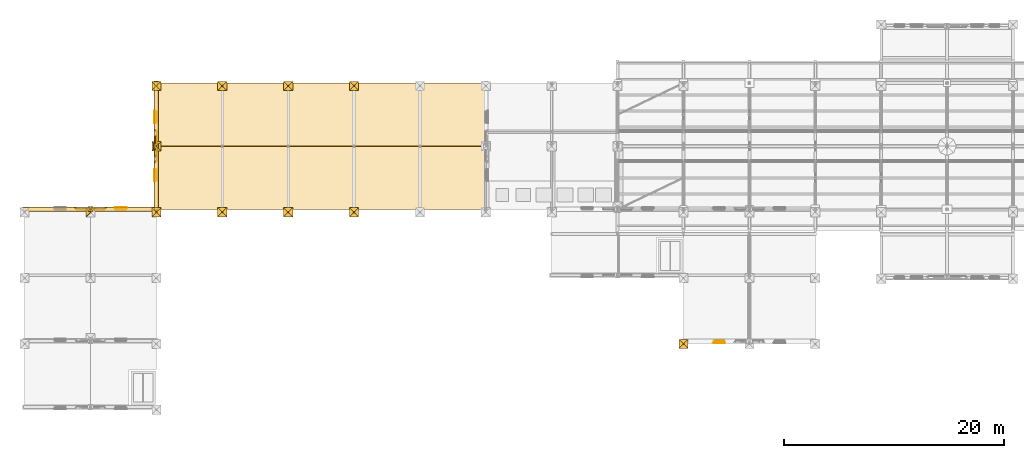
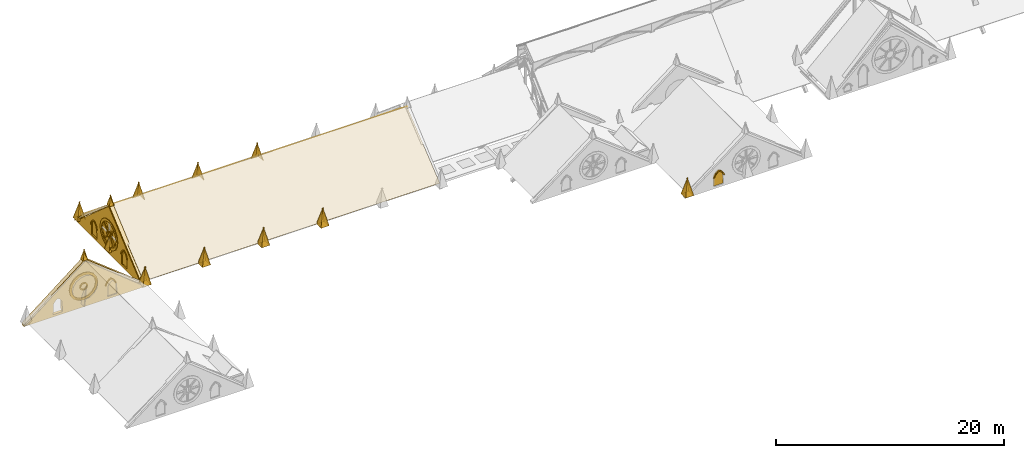
# One storey, part 25 of 33: 73 coverings.
"""IFC4 building model written with IfcOpenShell, lengths in metres."""

from ifc_helpers import new_model, si_unit, direction, frame, origin, place, context, subcontext, project, spatial, polyline, outline, extrude, material, type_object, element, save


model = new_model("IFC4")

# Units and contexts
model_context = context("Model", 3, precision=1e-05, world=origin(), true_north=direction((0.0, 1.0)))
body_context = subcontext(model_context, "Body", "Model", "MODEL_VIEW")
ifc_project = project(units=[si_unit("LENGTHUNIT", "METRE"), si_unit("AREAUNIT", "SQUARE_METRE"), si_unit("VOLUMEUNIT", "CUBIC_METRE"), si_unit("PLANEANGLEUNIT", "RADIAN"), si_unit("MASSUNIT", "GRAM", prefix="KILO")], contexts=[model_context])

# Site, building, storey
site_placement = place(None, origin())
site = spatial("IfcSite", under=ifc_project, at=site_placement, CompositionType="ELEMENT")
building_placement = place(site_placement, origin())
building = spatial("IfcBuilding", under=site, at=building_placement, Name="Cumevento Cable Car Station", CompositionType="ELEMENT")
storey_placement = place(building_placement, frame((0.0, 0.0, 22.5)))
storey = spatial("IfcBuildingStorey", under=building, at=storey_placement, Name="RF", CompositionType="ELEMENT", Elevation=22.5)

# Coverings
ifc_material_1 = material(Name="Standing-Seam Zinc-Titanium Roof Sheet", Category="steel")
covering_type_1 = type_object("IfcCoveringType", Name="Standing-Seam Zinc Roofing CV-RF01", PredefinedType="ROOFING", material=ifc_material_1)
for number, where, z_axis, x_axis, name in (
    (1, (22.0, 45.0, 0.45166015625), (0.0, -0.632857526617, 0.774268268111), (1.0, 0.0, 0.0), "Standing-Seam Zinc Roof Covering #39"),
    (2, (22.0, 50.760009765625, 5.143310546875), (0.0, 0.632857526617, 0.774268268111), (1.0, 0.0, 0.0), "Standing-Seam Zinc Roof Covering #40"),
):
    element("IfcCovering", number, at=place(storey_placement, frame(where, z_axis=z_axis, x_axis=x_axis)), inside=storey, type_object=covering_type_1, Name=name, PredefinedType="ROOFING", context=body_context, shape_type="SweptSolid", body=[
        extrude(outline(polyline([(0.0, 0.0), (30.0, 0.0), (30.0, 7.413438559708448), (0.0, 7.413438559708448), (0.0, 0.0)])), origin(), (0.0, 0.0, -1.0), 0.02587890625),
    ])
ifc_material_2 = material(Name="Gnaisse Facoidal Stone Ashlar 85 MPa", Category="masonry")
covering_type_2 = type_object("IfcCoveringType", Name="Gnaisse Ashlar Cladding CV-CL01", PredefinedType="CLADDING", material=ifc_material_2)
for number, where, z_axis, x_axis, name in (
    (3, (15.580078125, 44.320068359375, 0.3701171875), (-0.973845107191, 0.0, 0.227212911607), (0.0, 1.0, 0.0), "Gothic Buttress Pinnacle Spire Facet 4 bt:16.0:45.0"),
    (4, (21.580078125, 45.159912109375, 0.3701171875), (0.0, 0.973845107191, 0.227212911607), (1.0, 0.0, 0.0), "Gothic Buttress Pinnacle Spire Facet 1 bt:22.0:45.0"),
    (5, (22.419921875, 45.159912109375, 0.3701171875), (0.973845107191, 0.0, 0.227212911607), (0.0, -1.0, 0.0), "Gothic Buttress Pinnacle Spire Facet 2 bt:22.0:45.0"),
    (6, (22.419921875, 44.320068359375, 0.3701171875), (0.0, -0.973845107191, 0.227212911607), (-1.0, 0.0, 0.0), "Gothic Buttress Pinnacle Spire Facet 3 bt:22.0:45.0"),
    (7, (21.580078125, 44.320068359375, 0.3701171875), (-0.973845107191, 0.0, 0.227212911607), (0.0, 1.0, 0.0), "Gothic Buttress Pinnacle Spire Facet 4 bt:22.0:45.0"),
    (8, (21.580078125, 51.159912109375, 0.3701171875), (0.0, 0.973845107191, 0.227212911607), (1.0, 0.0, 0.0), "Gothic Buttress Pinnacle Spire Facet 1 bt:22.0:51.0"),
    (9, (22.419921875, 51.159912109375, 0.3701171875), (0.973845107191, 0.0, 0.227212911607), (0.0, -1.0, 0.0), "Gothic Buttress Pinnacle Spire Facet 2 bt:22.0:51.0"),
    (10, (22.419921875, 50.320068359375, 0.3701171875), (0.0, -0.973845107191, 0.227212911607), (-1.0, 0.0, 0.0), "Gothic Buttress Pinnacle Spire Facet 3 bt:22.0:51.0"),
    (11, (21.580078125, 50.320068359375, 0.3701171875), (-0.973845107191, 0.0, 0.227212911607), (0.0, 1.0, 0.0), "Gothic Buttress Pinnacle Spire Facet 4 bt:22.0:51.0"),
    (12, (21.580078125, 56.659912109375, 0.3701171875), (0.0, 0.973845107191, 0.227212911607), (1.0, 0.0, 0.0), "Gothic Buttress Pinnacle Spire Facet 1 bt:22.0:56.5"),
    (13, (22.419921875, 56.659912109375, 0.3701171875), (0.973845107191, 0.0, 0.227212911607), (0.0, -1.0, 0.0), "Gothic Buttress Pinnacle Spire Facet 2 bt:22.0:56.5"),
    (14, (22.419921875, 55.820068359375, 0.3701171875), (0.0, -0.973845107191, 0.227212911607), (-1.0, 0.0, 0.0), "Gothic Buttress Pinnacle Spire Facet 3 bt:22.0:56.5"),
    (15, (21.580078125, 55.820068359375, 0.3701171875), (-0.973845107191, 0.0, 0.227212911607), (0.0, 1.0, 0.0), "Gothic Buttress Pinnacle Spire Facet 4 bt:22.0:56.5"),
    (16, (27.580078125, 45.159912109375, 0.3701171875), (0.0, 0.973845107191, 0.227212911607), (1.0, 0.0, 0.0), "Gothic Buttress Pinnacle Spire Facet 1 bt:28.0:45.0"),
    (17, (28.419921875, 45.159912109375, 0.3701171875), (0.973845107191, 0.0, 0.227212911607), (0.0, -1.0, 0.0), "Gothic Buttress Pinnacle Spire Facet 2 bt:28.0:45.0"),
    (18, (28.419921875, 44.320068359375, 0.3701171875), (0.0, -0.973845107191, 0.227212911607), (-1.0, 0.0, 0.0), "Gothic Buttress Pinnacle Spire Facet 3 bt:28.0:45.0"),
    (19, (27.580078125, 44.320068359375, 0.3701171875), (-0.973845107191, 0.0, 0.227212911607), (0.0, 1.0, 0.0), "Gothic Buttress Pinnacle Spire Facet 4 bt:28.0:45.0"),
    (20, (27.580078125, 56.659912109375, 0.3701171875), (0.0, 0.973845107191, 0.227212911607), (1.0, 0.0, 0.0), "Gothic Buttress Pinnacle Spire Facet 1 bt:28.0:56.5"),
    (21, (28.419921875, 56.659912109375, 0.3701171875), (0.973845107191, 0.0, 0.227212911607), (0.0, -1.0, 0.0), "Gothic Buttress Pinnacle Spire Facet 2 bt:28.0:56.5"),
    (22, (28.419921875, 55.820068359375, 0.3701171875), (0.0, -0.973845107191, 0.227212911607), (-1.0, 0.0, 0.0), "Gothic Buttress Pinnacle Spire Facet 3 bt:28.0:56.5"),
    (23, (27.580078125, 55.820068359375, 0.3701171875), (-0.973845107191, 0.0, 0.227212911607), (0.0, 1.0, 0.0), "Gothic Buttress Pinnacle Spire Facet 4 bt:28.0:56.5"),
    (24, (33.580078125, 45.159912109375, 0.3701171875), (0.0, 0.973845107191, 0.227212911607), (1.0, 0.0, 0.0), "Gothic Buttress Pinnacle Spire Facet 1 bt:34.0:45.0"),
    (25, (34.419921875, 45.159912109375, 0.3701171875), (0.973845107191, 0.0, 0.227212911607), (0.0, -1.0, 0.0), "Gothic Buttress Pinnacle Spire Facet 2 bt:34.0:45.0"),
    (26, (34.419921875, 44.320068359375, 0.3701171875), (0.0, -0.973845107191, 0.227212911607), (-1.0, 0.0, 0.0), "Gothic Buttress Pinnacle Spire Facet 3 bt:34.0:45.0"),
    (27, (33.580078125, 44.320068359375, 0.3701171875), (-0.973845107191, 0.0, 0.227212911607), (0.0, 1.0, 0.0), "Gothic Buttress Pinnacle Spire Facet 4 bt:34.0:45.0"),
    (28, (33.580078125, 56.659912109375, 0.3701171875), (0.0, 0.973845107191, 0.227212911607), (1.0, 0.0, 0.0), "Gothic Buttress Pinnacle Spire Facet 1 bt:34.0:56.5"),
    (29, (34.419921875, 56.659912109375, 0.3701171875), (0.973845107191, 0.0, 0.227212911607), (0.0, -1.0, 0.0), "Gothic Buttress Pinnacle Spire Facet 2 bt:34.0:56.5"),
    (30, (34.419921875, 55.820068359375, 0.3701171875), (0.0, -0.973845107191, 0.227212911607), (-1.0, 0.0, 0.0), "Gothic Buttress Pinnacle Spire Facet 3 bt:34.0:56.5"),
    (31, (33.580078125, 55.820068359375, 0.3701171875), (-0.973845107191, 0.0, 0.227212911607), (0.0, 1.0, 0.0), "Gothic Buttress Pinnacle Spire Facet 4 bt:34.0:56.5"),
    (32, (39.580078125, 45.159912109375, 0.3701171875), (0.0, 0.973845107191, 0.227212911607), (1.0, 0.0, 0.0), "Gothic Buttress Pinnacle Spire Facet 1 bt:40.0:45.0"),
    (33, (40.419921875, 45.159912109375, 0.3701171875), (0.973845107191, 0.0, 0.227212911607), (0.0, -1.0, 0.0), "Gothic Buttress Pinnacle Spire Facet 2 bt:40.0:45.0"),
    (34, (40.419921875, 44.320068359375, 0.3701171875), (0.0, -0.973845107191, 0.227212911607), (-1.0, 0.0, 0.0), "Gothic Buttress Pinnacle Spire Facet 3 bt:40.0:45.0"),
    (35, (39.580078125, 44.320068359375, 0.3701171875), (-0.973845107191, 0.0, 0.227212911607), (0.0, 1.0, 0.0), "Gothic Buttress Pinnacle Spire Facet 4 bt:40.0:45.0"),
    (36, (39.580078125, 56.659912109375, 0.3701171875), (0.0, 0.973845107191, 0.227212911607), (1.0, 0.0, 0.0), "Gothic Buttress Pinnacle Spire Facet 1 bt:40.0:56.5"),
    (37, (40.419921875, 56.659912109375, 0.3701171875), (0.973845107191, 0.0, 0.227212911607), (0.0, -1.0, 0.0), "Gothic Buttress Pinnacle Spire Facet 2 bt:40.0:56.5"),
    (38, (40.419921875, 55.820068359375, 0.3701171875), (0.0, -0.973845107191, 0.227212911607), (-1.0, 0.0, 0.0), "Gothic Buttress Pinnacle Spire Facet 3 bt:40.0:56.5"),
    (39, (39.580078125, 55.820068359375, 0.3701171875), (-0.973845107191, 0.0, 0.227212911607), (0.0, 1.0, 0.0), "Gothic Buttress Pinnacle Spire Facet 4 bt:40.0:56.5"),
    (40, (69.580078125, 33.159912109375, 0.3701171875), (0.0, 0.973845107191, 0.227212911607), (1.0, 0.0, 0.0), "Gothic Buttress Pinnacle Spire Facet 1 bt:70.0:33.0"),
    (41, (70.419921875, 33.159912109375, 0.3701171875), (0.973845107191, 0.0, 0.227212911607), (0.0, -1.0, 0.0), "Gothic Buttress Pinnacle Spire Facet 2 bt:70.0:33.0"),
    (42, (70.419921875, 32.320068359375, 0.3701171875), (0.0, -0.973845107191, 0.227212911607), (-1.0, 0.0, 0.0), "Gothic Buttress Pinnacle Spire Facet 3 bt:70.0:33.0"),
    (43, (69.580078125, 32.320068359375, 0.3701171875), (-0.973845107191, 0.0, 0.227212911607), (0.0, 1.0, 0.0), "Gothic Buttress Pinnacle Spire Facet 4 bt:70.0:33.0"),
):
    element("IfcCovering", number, at=place(storey_placement, frame(where, z_axis=z_axis, x_axis=x_axis)), inside=storey, type_object=covering_type_2, Name=name, PredefinedType="CLADDING", context=body_context, shape_type="SweptSolid", body=[
        extrude(outline(polyline([(0.0, 0.0), (0.83984375, 0.0), (0.419921875, -1.848142660686801), (0.0, 0.0)])), origin(), (0.0, 0.0, -1.0), 0.0849609375),
    ])
placement_1 = place(storey_placement, frame((82.0, 33.0, 0.0), z_axis=(0.0, 0.0, 1.0), x_axis=(-1.0, 0.0, 0.0)))
element("IfcCovering", 44, at=placement_1, inside=storey, type_object=covering_type_2, Name="Gothic Gable Recessed Tracery Backing wing_B_V2d_S lancet_1", PredefinedType="CLADDING", context=body_context, shape_type="SweptSolid", body=[
    extrude(outline(polyline([(8.2548828125, 0.14990234375), (9.264892578125, 0.14990234375), (9.205078125, 1.2724609375), (9.122314453125, 1.409912109375), (9.0185546875, 1.5322265625), (8.89697265625, 1.63671875), (8.760009765625, 1.720458984375), (8.623046875, 1.63671875), (8.50146484375, 1.5322265625), (8.397705078125, 1.409912109375), (8.31494140625, 1.2724609375), (8.2548828125, 0.14990234375)])), frame((0.0, 0.050048828125, 0.0), z_axis=(0.0, -1.0, 0.0), x_axis=(1.0, 0.0, 0.0)), (0.0, 0.0, 1.0), 0.074951171875),
])
element("IfcCovering", 45, at=placement_1, inside=storey, type_object=covering_type_2, Name="Gable Lancet Stone Hood Moulding wing_B_V2d_S #2", PredefinedType="CLADDING", context=body_context, shape_type="SweptSolid", body=[
    extrude(outline(polyline([(8.284912109375, 1.12255859375), (8.339599609375, 1.26611328125), (8.416748046875, 1.399169921875), (8.51416015625, 1.517822265625), (8.629638671875, 1.619140625), (8.760009765625, 1.700439453125), (8.890380859375, 1.619140625), (9.005859375, 1.517822265625), (9.103271484375, 1.399169921875), (9.180419921875, 1.26611328125), (9.235107421875, 1.12255859375), (9.324951171875, 1.12255859375), (9.26123046875, 1.295654296875), (9.170166015625, 1.4560546875), (9.053955078125, 1.599365234375), (8.916015625, 1.721923828125), (8.760009765625, 1.8203125), (8.60400390625, 1.721923828125), (8.466064453125, 1.599365234375), (8.349853515625, 1.4560546875), (8.2587890625, 1.295654296875), (8.195068359375, 1.12255859375), (8.284912109375, 1.12255859375)])), frame((0.0, 0.205078125, 0.0), z_axis=(0.0, -1.0, 0.0), x_axis=(1.0, 0.0, 0.0)), (0.0, 0.0, 1.0), 0.090087890625),
])
placement_2 = place(storey_placement, frame((10.0, 45.0, 0.0), z_axis=(0.0, 0.0, 1.0), x_axis=(1.0, 0.0, 0.0)))
element("IfcCovering", 46, at=placement_2, inside=storey, type_object=covering_type_2, Name="Gothic Stone Gable Tympanum wing_B_V6b_N", PredefinedType="CLADDING", context=body_context, shape_type="SweptSolid", body=[
    extrude(outline(polyline([(-0.080078125, -0.06005859375), (12.080078125, -0.06005859375), (6.0, 4.81005859375), (-0.080078125, -0.06005859375)]), holes=[polyline([(7.277099609375, 1.939208984375), (7.179931640625, 2.427978515625), (6.903076171875, 2.84228515625), (6.48876953125, 3.119140625), (6.0, 3.21630859375), (5.51123046875, 3.119140625), (5.096923828125, 2.84228515625), (4.820068359375, 2.427978515625), (4.722900390625, 1.939208984375), (4.820068359375, 1.45068359375), (5.096923828125, 1.0361328125), (5.51123046875, 0.759521484375), (6.0, 0.662109375), (6.48876953125, 0.759521484375), (6.903076171875, 1.0361328125), (7.179931640625, 1.45068359375), (7.277099609375, 1.939208984375)]), polyline([(2.764892578125, 0.179931640625), (3.715087890625, 0.179931640625), (3.662109375, 1.29736328125), (3.5859375, 1.43408203125), (3.48828125, 1.556396484375), (3.3720703125, 1.660888671875), (3.239990234375, 1.744873046875), (3.10791015625, 1.660888671875), (2.99169921875, 1.556396484375), (2.89404296875, 1.43408203125), (2.81787109375, 1.29736328125), (2.764892578125, 0.179931640625)]), polyline([(8.284912109375, 0.179931640625), (9.235107421875, 0.179931640625), (9.182373046875, 1.29736328125), (9.10595703125, 1.43408203125), (9.00830078125, 1.556396484375), (8.89208984375, 1.660888671875), (8.760009765625, 1.744873046875), (8.6279296875, 1.660888671875), (8.51171875, 1.556396484375), (8.4140625, 1.43408203125), (8.337646484375, 1.29736328125), (8.284912109375, 0.179931640625)])]), frame((0.0, 0.159912109375, 0.0), z_axis=(0.0, -1.0, 0.0), x_axis=(1.0, 0.0, 0.0)), (0.0, 0.0, 1.0), 0.300048828125),
])
element("IfcCovering", 47, at=placement_2, inside=storey, type_object=covering_type_2, Name="Gothic Gable Recessed Tracery Backing wing_B_V6b_N rose", PredefinedType="CLADDING", context=body_context, shape_type="SweptSolid", body=[
    extrude(outline(polyline([(7.317138671875, 1.939208984375), (7.216796875, 2.443359375), (6.931396484375, 2.87060546875), (6.504150390625, 3.15625), (6.0, 3.25634765625), (5.495849609375, 3.15625), (5.068603515625, 2.87060546875), (4.783203125, 2.443359375), (4.682861328125, 1.939208984375), (4.783203125, 1.435302734375), (5.068603515625, 1.008056640625), (5.495849609375, 0.722412109375), (6.0, 0.622314453125), (6.504150390625, 0.722412109375), (6.931396484375, 1.008056640625), (7.216796875, 1.435302734375), (7.317138671875, 1.939208984375)])), frame((0.0, 0.050048828125, 0.0), z_axis=(0.0, -1.0, 0.0), x_axis=(1.0, 0.0, 0.0)), (0.0, 0.0, 1.0), 0.074951171875),
])
element("IfcCovering", 48, at=placement_2, inside=storey, type_object=covering_type_2, Name="Gothic Gable Recessed Tracery Backing wing_B_V6b_N lancet_1", PredefinedType="CLADDING", context=body_context, shape_type="SweptSolid", body=[
    extrude(outline(polyline([(8.2548828125, 0.14990234375), (9.264892578125, 0.14990234375), (9.20703125, 1.3037109375), (9.125, 1.44482421875), (9.021240234375, 1.57080078125), (8.8984375, 1.678466796875), (8.760009765625, 1.764892578125), (8.62158203125, 1.678466796875), (8.498779296875, 1.57080078125), (8.39501953125, 1.44482421875), (8.31298828125, 1.3037109375), (8.2548828125, 0.14990234375)])), frame((0.0, 0.050048828125, 0.0), z_axis=(0.0, -1.0, 0.0), x_axis=(1.0, 0.0, 0.0)), (0.0, 0.0, 1.0), 0.074951171875),
])
element("IfcCovering", 49, at=placement_2, inside=storey, type_object=covering_type_2, Name="Gothic 16-Sided Stone Rose Window Ring wing_B_V6b_N", PredefinedType="CLADDING", context=body_context, shape_type="SweptSolid", body=[
    extrude(outline(polyline([(7.45703125, 1.939208984375), (7.34619140625, 2.496826171875), (7.0302734375, 2.9697265625), (6.5576171875, 3.285400390625), (6.0, 3.396484375), (5.4423828125, 3.285400390625), (4.9697265625, 2.9697265625), (4.65380859375, 2.496826171875), (4.54296875, 1.939208984375), (4.65380859375, 1.381591796875), (4.9697265625, 0.908935546875), (5.4423828125, 0.593017578125), (6.0, 0.482177734375), (6.5576171875, 0.593017578125), (7.0302734375, 0.908935546875), (7.34619140625, 1.381591796875), (7.45703125, 1.939208984375)]), holes=[polyline([(7.20703125, 1.939208984375), (7.115234375, 2.401123046875), (6.853515625, 2.79296875), (6.4619140625, 3.054443359375), (6.0, 3.146484375), (5.5380859375, 3.054443359375), (5.146484375, 2.79296875), (4.884765625, 2.401123046875), (4.79296875, 1.939208984375), (4.884765625, 1.477294921875), (5.146484375, 1.085693359375), (5.5380859375, 0.823974609375), (6.0, 0.732177734375), (6.4619140625, 0.823974609375), (6.853515625, 1.085693359375), (7.115234375, 1.477294921875), (7.20703125, 1.939208984375)])]), frame((0.0, 0.215087890625, 0.0), z_axis=(0.0, -1.0, 0.0), x_axis=(1.0, 0.0, 0.0)), (0.0, 0.0, 1.0), 0.110107421875),
])
element("IfcCovering", 50, at=placement_2, inside=storey, type_object=covering_type_2, Name="Gothic Rose Central Stone Oculus Hub wing_B_V6b_N", PredefinedType="CLADDING", context=body_context, shape_type="SweptSolid", body=[
    extrude(outline(polyline([(6.412109375, 1.939208984375), (6.356689453125, 2.145263671875), (6.2060546875, 2.296142578125), (6.0, 2.351318359375), (5.7939453125, 2.296142578125), (5.643310546875, 2.145263671875), (5.587890625, 1.939208984375), (5.643310546875, 1.7333984375), (5.7939453125, 1.58251953125), (6.0, 1.52734375), (6.2060546875, 1.58251953125), (6.356689453125, 1.7333984375), (6.412109375, 1.939208984375)]), holes=[polyline([(6.2919921875, 1.939208984375), (6.2529296875, 2.085205078125), (6.14599609375, 2.192138671875), (6.0, 2.231201171875), (5.85400390625, 2.192138671875), (5.7470703125, 2.085205078125), (5.7080078125, 1.939208984375), (5.7470703125, 1.793212890625), (5.85400390625, 1.6865234375), (6.0, 1.647216796875), (6.14599609375, 1.6865234375), (6.2529296875, 1.793212890625), (6.2919921875, 1.939208984375)])]), frame((0.0, 0.18994140625, 0.0), z_axis=(0.0, -1.0, 0.0), x_axis=(1.0, 0.0, 0.0)), (0.0, 0.0, 1.0), 0.139892578125),
])
element("IfcCovering", 51, at=placement_2, inside=storey, type_object=covering_type_2, Name="Gable Lancet Stone Hood Moulding wing_B_V6b_N #2", PredefinedType="CLADDING", context=body_context, shape_type="SweptSolid", body=[
    extrude(outline(polyline([(8.284912109375, 1.150146484375), (8.337646484375, 1.29736328125), (8.4140625, 1.43408203125), (8.51171875, 1.556396484375), (8.6279296875, 1.660888671875), (8.760009765625, 1.744873046875), (8.89208984375, 1.660888671875), (9.00830078125, 1.556396484375), (9.10595703125, 1.43408203125), (9.182373046875, 1.29736328125), (9.235107421875, 1.150146484375), (9.324951171875, 1.150146484375), (9.262939453125, 1.326904296875), (9.1728515625, 1.4912109375), (9.056640625, 1.637939453125), (8.917724609375, 1.763671875), (8.760009765625, 1.86474609375), (8.602294921875, 1.763671875), (8.46337890625, 1.637939453125), (8.34716796875, 1.4912109375), (8.257080078125, 1.326904296875), (8.195068359375, 1.150146484375), (8.284912109375, 1.150146484375)])), frame((0.0, 0.205078125, 0.0), z_axis=(0.0, -1.0, 0.0), x_axis=(1.0, 0.0, 0.0)), (0.0, 0.0, 1.0), 0.090087890625),
])
element("IfcCovering", 52, at=placement_2, inside=storey, type_object=covering_type_2, Name="Raking Gothic Stone Gable Coping wing_B_V6b_N", PredefinedType="CLADDING", context=body_context, shape_type="SweptSolid", body=[
    extrude(outline(polyline([(-0.199951171875, -0.06005859375), (6.0, 4.81005859375), (12.199951171875, -0.06005859375), (12.199951171875, 0.139892578125), (6.0, 5.050048828125), (-0.199951171875, 0.139892578125), (-0.199951171875, -0.06005859375)])), frame((0.0, 0.219970703125, 0.0), z_axis=(0.0, -1.0, 0.0), x_axis=(1.0, 0.0, 0.0)), (0.0, 0.0, 1.0), 0.39990234375),
])
for number, where, z_axis, x_axis, name in (
    (53, (15.760009765625, 44.7900390625, 4.909912109375), (0.0, -0.97486272659, 0.222806338116), (1.0, 0.0, 0.0), "Gothic Gable Finial Spire Facet 1 wing_B_V6b_N"),
    (54, (16.239990234375, 44.7900390625, 4.909912109375), (0.97486272659, 0.0, 0.222806338116), (0.0, 1.0, 0.0), "Gothic Gable Finial Spire Facet 2 wing_B_V6b_N"),
    (55, (16.239990234375, 45.27001953125, 4.909912109375), (0.0, 0.97486272659, 0.222806338116), (-1.0, 0.0, 0.0), "Gothic Gable Finial Spire Facet 3 wing_B_V6b_N"),
    (56, (15.760009765625, 45.27001953125, 4.909912109375), (-0.97486272659, 0.0, 0.222806338116), (0.0, -1.0, 0.0), "Gothic Gable Finial Spire Facet 4 wing_B_V6b_N"),
):
    element("IfcCovering", number, at=place(storey_placement, frame(where, z_axis=z_axis, x_axis=x_axis)), inside=storey, type_object=covering_type_2, Name=name, PredefinedType="CLADDING", context=body_context, shape_type="SweptSolid", body=[
        extrude(outline(polyline([(0.0, 0.0), (0.47998046875, 0.0), (0.239990234375, 1.0771248089437238), (0.0, 0.0)])), origin(), (0.0, 0.0, -1.0), 0.06494140625),
    ])
placement_3 = place(storey_placement, frame((22.0, 45.0, 0.0), z_axis=(0.0, 0.0, 1.0), x_axis=(0.0, 1.0, 0.0)))
element("IfcCovering", 57, at=placement_3, inside=storey, type_object=covering_type_2, Name="Gothic Stone Gable Tympanum wing_B_V6c_W", PredefinedType="CLADDING", context=body_context, shape_type="SweptSolid", body=[
    extrude(outline(polyline([(-0.080078125, -0.06005859375), (11.580078125, -0.06005859375), (5.75, 5.06005859375), (-0.080078125, -0.06005859375)]), holes=[polyline([(7.094482421875, 2.041748046875), (6.9921875, 2.556396484375), (6.70068359375, 2.99267578125), (6.2646484375, 3.283935546875), (5.75, 3.386474609375), (5.2353515625, 3.283935546875), (4.79931640625, 2.99267578125), (4.5078125, 2.556396484375), (4.405517578125, 2.041748046875), (4.5078125, 1.52734375), (4.79931640625, 1.091064453125), (5.2353515625, 0.799560546875), (5.75, 0.697265625), (6.2646484375, 0.799560546875), (6.70068359375, 1.091064453125), (6.9921875, 1.52734375), (7.094482421875, 2.041748046875)]), polyline([(2.6298828125, 0.179931640625), (3.580078125, 0.179931640625), (3.55810546875, 1.373779296875), (3.494384765625, 1.530029296875), (3.392578125, 1.66455078125), (3.260009765625, 1.768798828125), (3.10498046875, 1.83544921875), (2.949951171875, 1.768798828125), (2.8173828125, 1.66455078125), (2.715576171875, 1.530029296875), (2.65185546875, 1.373779296875), (2.6298828125, 0.179931640625)]), polyline([(7.919921875, 0.179931640625), (8.8701171875, 0.179931640625), (8.848388671875, 1.373779296875), (8.784423828125, 1.530029296875), (8.682861328125, 1.66455078125), (8.550048828125, 1.768798828125), (8.39501953125, 1.83544921875), (8.239990234375, 1.768798828125), (8.107177734375, 1.66455078125), (8.005615234375, 1.530029296875), (7.941650390625, 1.373779296875), (7.919921875, 0.179931640625)])]), frame((0.0, 0.159912109375, 0.0), z_axis=(0.0, -1.0, 0.0), x_axis=(1.0, 0.0, 0.0)), (0.0, 0.0, 1.0), 0.300048828125),
])
element("IfcCovering", 58, at=placement_3, inside=storey, type_object=covering_type_2, Name="Gothic Gable Recessed Tracery Backing wing_B_V6c_W rose", PredefinedType="CLADDING", context=body_context, shape_type="SweptSolid", body=[
    extrude(outline(polyline([(7.134521484375, 2.041748046875), (7.029296875, 2.57177734375), (6.72900390625, 3.020751953125), (6.27978515625, 3.321044921875), (5.75, 3.426513671875), (5.22021484375, 3.321044921875), (4.77099609375, 3.020751953125), (4.470703125, 2.57177734375), (4.365478515625, 2.041748046875), (4.470703125, 1.511962890625), (4.77099609375, 1.062744140625), (5.22021484375, 0.7626953125), (5.75, 0.6572265625), (6.27978515625, 0.7626953125), (6.72900390625, 1.062744140625), (7.029296875, 1.511962890625), (7.134521484375, 2.041748046875)])), frame((0.0, 0.050048828125, 0.0), z_axis=(0.0, -1.0, 0.0), x_axis=(1.0, 0.0, 0.0)), (0.0, 0.0, 1.0), 0.074951171875),
])
element("IfcCovering", 59, at=placement_3, inside=storey, type_object=covering_type_2, Name="Gothic Gable Recessed Tracery Backing wing_B_V6c_W lancet_0", PredefinedType="CLADDING", context=body_context, shape_type="SweptSolid", body=[
    extrude(outline(polyline([(2.60009765625, 0.14990234375), (3.610107421875, 0.14990234375), (3.586669921875, 1.38232421875), (3.518310546875, 1.545166015625), (3.409912109375, 1.684326171875), (3.268798828125, 1.790283203125), (3.10498046875, 1.85546875), (2.941162109375, 1.790283203125), (2.800048828125, 1.684326171875), (2.691650390625, 1.545166015625), (2.623291015625, 1.38232421875), (2.60009765625, 0.14990234375)])), frame((0.0, 0.050048828125, 0.0), z_axis=(0.0, -1.0, 0.0), x_axis=(1.0, 0.0, 0.0)), (0.0, 0.0, 1.0), 0.074951171875),
])
element("IfcCovering", 60, at=placement_3, inside=storey, type_object=covering_type_2, Name="Gothic Gable Recessed Tracery Backing wing_B_V6c_W lancet_1", PredefinedType="CLADDING", context=body_context, shape_type="SweptSolid", body=[
    extrude(outline(polyline([(7.889892578125, 0.14990234375), (8.89990234375, 0.14990234375), (8.876708984375, 1.38232421875), (8.80859375, 1.545166015625), (8.699951171875, 1.684326171875), (8.558837890625, 1.790283203125), (8.39501953125, 1.85546875), (8.231201171875, 1.790283203125), (8.090087890625, 1.684326171875), (7.9814453125, 1.545166015625), (7.913330078125, 1.38232421875), (7.889892578125, 0.14990234375)])), frame((0.0, 0.050048828125, 0.0), z_axis=(0.0, -1.0, 0.0), x_axis=(1.0, 0.0, 0.0)), (0.0, 0.0, 1.0), 0.074951171875),
])
element("IfcCovering", 61, at=placement_3, inside=storey, type_object=covering_type_2, Name="Gothic 16-Sided Stone Rose Window Ring wing_B_V6c_W", PredefinedType="CLADDING", context=body_context, shape_type="SweptSolid", body=[
    extrude(outline(polyline([(7.274658203125, 2.041748046875), (7.158447265625, 2.625244140625), (6.828125, 3.119873046875), (6.33349609375, 3.450439453125), (5.75, 3.56640625), (5.16650390625, 3.450439453125), (4.671875, 3.119873046875), (4.341552734375, 2.625244140625), (4.225341796875, 2.041748046875), (4.341552734375, 1.458251953125), (4.671875, 0.963623046875), (5.16650390625, 0.63330078125), (5.75, 0.51708984375), (6.33349609375, 0.63330078125), (6.828125, 0.963623046875), (7.158447265625, 1.458251953125), (7.274658203125, 2.041748046875)]), holes=[polyline([(7.024658203125, 2.041748046875), (6.927490234375, 2.529541015625), (6.6513671875, 2.943115234375), (6.23779296875, 3.219482421875), (5.75, 3.31640625), (5.26220703125, 3.219482421875), (4.8486328125, 2.943115234375), (4.572509765625, 2.529541015625), (4.475341796875, 2.041748046875), (4.572509765625, 1.553955078125), (4.8486328125, 1.140625), (5.26220703125, 0.8642578125), (5.75, 0.76708984375), (6.23779296875, 0.8642578125), (6.6513671875, 1.140625), (6.927490234375, 1.553955078125), (7.024658203125, 2.041748046875)])]), frame((0.0, 0.215087890625, 0.0), z_axis=(0.0, -1.0, 0.0), x_axis=(1.0, 0.0, 0.0)), (0.0, 0.0, 1.0), 0.110107421875),
])
element("IfcCovering", 62, at=placement_3, inside=storey, type_object=covering_type_2, Name="Gothic Rose Central Stone Oculus Hub wing_B_V6c_W", PredefinedType="CLADDING", context=body_context, shape_type="SweptSolid", body=[
    extrude(outline(polyline([(6.1796875, 2.041748046875), (6.1220703125, 2.256591796875), (5.96484375, 2.413818359375), (5.75, 2.471435546875), (5.53515625, 2.413818359375), (5.3779296875, 2.256591796875), (5.3203125, 2.041748046875), (5.3779296875, 1.826904296875), (5.53515625, 1.669677734375), (5.75, 1.6123046875), (5.96484375, 1.669677734375), (6.1220703125, 1.826904296875), (6.1796875, 2.041748046875)]), holes=[polyline([(6.0595703125, 2.041748046875), (6.01806640625, 2.196533203125), (5.90478515625, 2.309814453125), (5.75, 2.351318359375), (5.59521484375, 2.309814453125), (5.48193359375, 2.196533203125), (5.4404296875, 2.041748046875), (5.48193359375, 1.886962890625), (5.59521484375, 1.773681640625), (5.75, 1.732177734375), (5.90478515625, 1.773681640625), (6.01806640625, 1.886962890625), (6.0595703125, 2.041748046875)])]), frame((0.0, 0.18994140625, 0.0), z_axis=(0.0, -1.0, 0.0), x_axis=(1.0, 0.0, 0.0)), (0.0, 0.0, 1.0), 0.139892578125),
])
element("IfcCovering", 63, at=placement_3, inside=storey, type_object=covering_type_2, Name="Gothic Rose Stone Tracery Mullion wing_B_V6c_W #2", PredefinedType="CLADDING", context=body_context, shape_type="SweptSolid", body=[
    extrude(outline(polyline([(5.986572265625, 2.342041015625), (6.65478515625, 3.01025390625), (6.718505859375, 2.946533203125), (6.05029296875, 2.2783203125), (5.986572265625, 2.342041015625)])), frame((0.0, 0.18505859375, 0.0), z_axis=(0.0, -1.0, 0.0), x_axis=(1.0, 0.0, 0.0)), (0.0, 0.0, 1.0), 0.1298828125),
])
element("IfcCovering", 64, at=placement_3, inside=storey, type_object=covering_type_2, Name="Gothic Rose Stone Tracery Mullion wing_B_V6c_W #4", PredefinedType="CLADDING", context=body_context, shape_type="SweptSolid", body=[
    extrude(outline(polyline([(5.44970703125, 2.2783203125), (4.781494140625, 2.946533203125), (4.84521484375, 3.01025390625), (5.513427734375, 2.342041015625), (5.44970703125, 2.2783203125)])), frame((0.0, 0.18505859375, 0.0), z_axis=(0.0, -1.0, 0.0), x_axis=(1.0, 0.0, 0.0)), (0.0, 0.0, 1.0), 0.1298828125),
])
element("IfcCovering", 65, at=placement_3, inside=storey, type_object=covering_type_2, Name="Gothic Rose Stone Tracery Mullion wing_B_V6c_W #6", PredefinedType="CLADDING", context=body_context, shape_type="SweptSolid", body=[
    extrude(outline(polyline([(5.513427734375, 1.741455078125), (4.84521484375, 1.0732421875), (4.781494140625, 1.136962890625), (5.44970703125, 1.80517578125), (5.513427734375, 1.741455078125)])), frame((0.0, 0.18505859375, 0.0), z_axis=(0.0, -1.0, 0.0), x_axis=(1.0, 0.0, 0.0)), (0.0, 0.0, 1.0), 0.1298828125),
])
element("IfcCovering", 66, at=placement_3, inside=storey, type_object=covering_type_2, Name="Gothic Rose Stone Tracery Mullion wing_B_V6c_W #8", PredefinedType="CLADDING", context=body_context, shape_type="SweptSolid", body=[
    extrude(outline(polyline([(6.05029296875, 1.80517578125), (6.718505859375, 1.136962890625), (6.65478515625, 1.0732421875), (5.986572265625, 1.741455078125), (6.05029296875, 1.80517578125)])), frame((0.0, 0.18505859375, 0.0), z_axis=(0.0, -1.0, 0.0), x_axis=(1.0, 0.0, 0.0)), (0.0, 0.0, 1.0), 0.1298828125),
])
element("IfcCovering", 67, at=placement_3, inside=storey, type_object=covering_type_2, Name="Gable Lancet Stone Hood Moulding wing_B_V6c_W #1", PredefinedType="CLADDING", context=body_context, shape_type="SweptSolid", body=[
    extrude(outline(polyline([(2.6298828125, 1.20654296875), (2.65185546875, 1.373779296875), (2.715576171875, 1.530029296875), (2.8173828125, 1.66455078125), (2.949951171875, 1.768798828125), (3.10498046875, 1.83544921875), (3.260009765625, 1.768798828125), (3.392578125, 1.66455078125), (3.494384765625, 1.530029296875), (3.55810546875, 1.373779296875), (3.580078125, 1.20654296875), (3.669921875, 1.20654296875), (3.64404296875, 1.405517578125), (3.568115234375, 1.591552734375), (3.447265625, 1.751708984375), (3.289306640625, 1.8759765625), (3.10498046875, 1.95556640625), (2.920654296875, 1.8759765625), (2.7626953125, 1.751708984375), (2.641845703125, 1.591552734375), (2.56591796875, 1.405517578125), (2.5400390625, 1.20654296875), (2.6298828125, 1.20654296875)])), frame((0.0, 0.205078125, 0.0), z_axis=(0.0, -1.0, 0.0), x_axis=(1.0, 0.0, 0.0)), (0.0, 0.0, 1.0), 0.090087890625),
])
element("IfcCovering", 68, at=placement_3, inside=storey, type_object=covering_type_2, Name="Gable Lancet Stone Hood Moulding wing_B_V6c_W #2", PredefinedType="CLADDING", context=body_context, shape_type="SweptSolid", body=[
    extrude(outline(polyline([(7.919921875, 1.20654296875), (7.941650390625, 1.373779296875), (8.005615234375, 1.530029296875), (8.107177734375, 1.66455078125), (8.239990234375, 1.768798828125), (8.39501953125, 1.83544921875), (8.550048828125, 1.768798828125), (8.682861328125, 1.66455078125), (8.784423828125, 1.530029296875), (8.848388671875, 1.373779296875), (8.8701171875, 1.20654296875), (8.9599609375, 1.20654296875), (8.93408203125, 1.405517578125), (8.858154296875, 1.591552734375), (8.7373046875, 1.751708984375), (8.579345703125, 1.8759765625), (8.39501953125, 1.95556640625), (8.210693359375, 1.8759765625), (8.052734375, 1.751708984375), (7.931884765625, 1.591552734375), (7.85595703125, 1.405517578125), (7.830078125, 1.20654296875), (7.919921875, 1.20654296875)])), frame((0.0, 0.205078125, 0.0), z_axis=(0.0, -1.0, 0.0), x_axis=(1.0, 0.0, 0.0)), (0.0, 0.0, 1.0), 0.090087890625),
])
element("IfcCovering", 69, at=placement_3, inside=storey, type_object=covering_type_2, Name="Raking Gothic Stone Gable Coping wing_B_V6c_W", PredefinedType="CLADDING", context=body_context, shape_type="SweptSolid", body=[
    extrude(outline(polyline([(-0.199951171875, -0.06005859375), (5.75, 5.06005859375), (11.699951171875, -0.06005859375), (11.699951171875, 0.139892578125), (5.75, 5.300048828125), (-0.199951171875, 0.139892578125), (-0.199951171875, -0.06005859375)])), frame((0.0, 0.219970703125, 0.0), z_axis=(0.0, -1.0, 0.0), x_axis=(1.0, 0.0, 0.0)), (0.0, 0.0, 1.0), 0.39990234375),
])
for number, where, z_axis, x_axis, name in (
    (70, (22.2099609375, 50.510009765625, 5.159912109375), (0.97486272659, 0.0, 0.222806338116), (0.0, 1.0, 0.0), "Gothic Gable Finial Spire Facet 1 wing_B_V6c_W"),
    (71, (22.2099609375, 50.989990234375, 5.159912109375), (0.0, 0.97486272659, 0.222806338116), (-1.0, 0.0, 0.0), "Gothic Gable Finial Spire Facet 2 wing_B_V6c_W"),
    (72, (21.72998046875, 50.989990234375, 5.159912109375), (-0.97486272659, 0.0, 0.222806338116), (0.0, -1.0, 0.0), "Gothic Gable Finial Spire Facet 3 wing_B_V6c_W"),
    (73, (21.72998046875, 50.510009765625, 5.159912109375), (0.0, -0.97486272659, 0.222806338116), (1.0, 0.0, 0.0), "Gothic Gable Finial Spire Facet 4 wing_B_V6c_W"),
):
    element("IfcCovering", number, at=place(storey_placement, frame(where, z_axis=z_axis, x_axis=x_axis)), inside=storey, type_object=covering_type_2, Name=name, PredefinedType="CLADDING", context=body_context, shape_type="SweptSolid", body=[
        extrude(outline(polyline([(0.0, 0.0), (0.47998046875, 0.0), (0.239990234375, 1.0771248089437238), (0.0, 0.0)])), origin(), (0.0, 0.0, -1.0), 0.06494140625),
    ])

save(model, "model.ifc")
